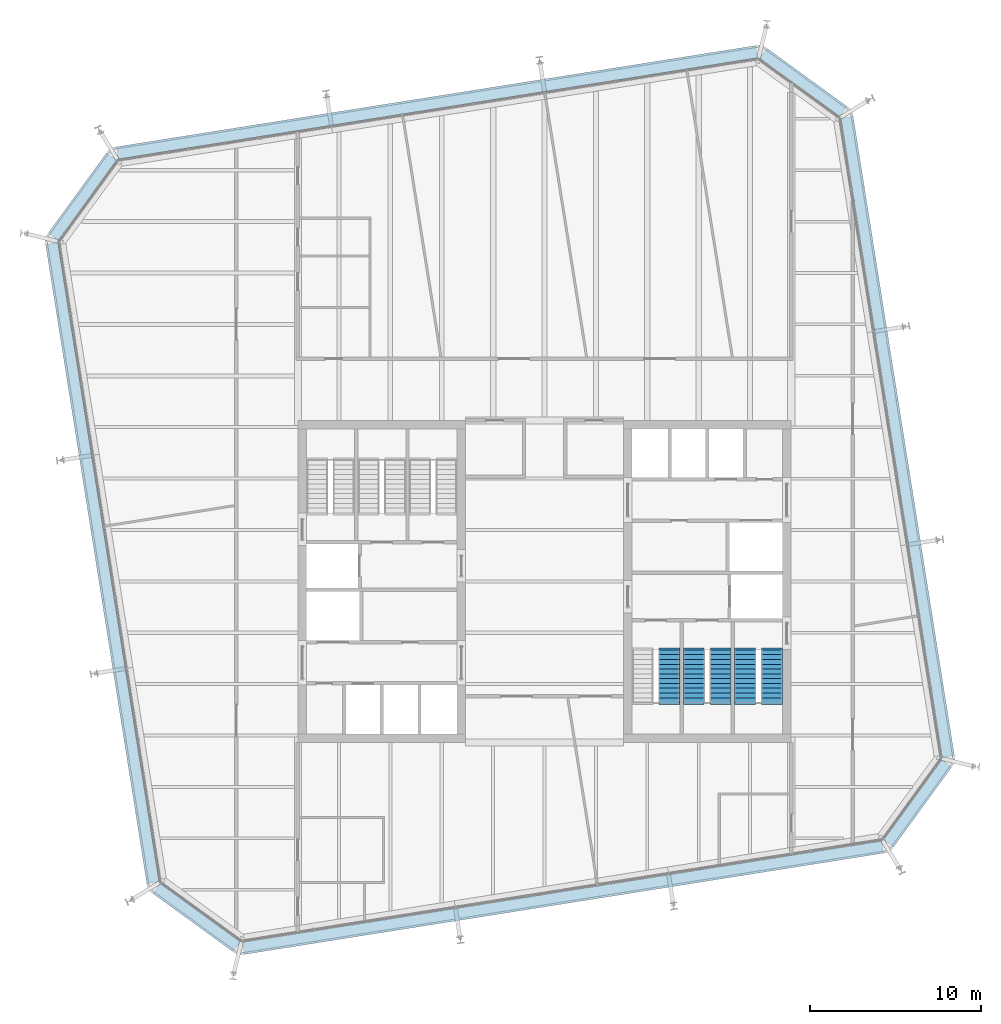
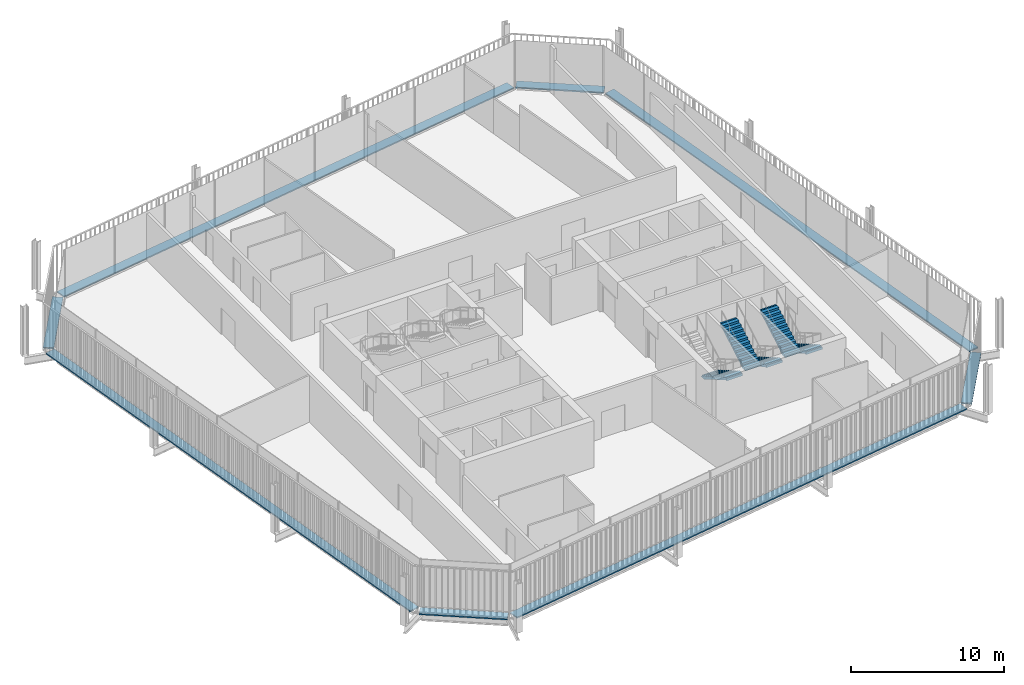
# One storey, part 19 of 20: 8 discrete accessories, 5 stair flights, 3 elements without a shape of their own.
"""IFC4 building model written with IfcOpenShell, lengths in metres."""

from ifc_helpers import new_model, si_unit, direction, frame, origin, origin_2d, place, context, subcontext, project, spatial, polyline, rectangle, outline, extrude, material, type_object, element, aggregate, save


model = new_model("IFC4")

# Units and contexts
model_context = context("Model", 3, precision=1e-05, world=origin(), true_north=direction((0.0, 1.0)))
body_context = subcontext(model_context, "Body", "Model", "MODEL_VIEW")
ifc_project = project(units=[si_unit("LENGTHUNIT", "METRE"), si_unit("AREAUNIT", "SQUARE_METRE"), si_unit("VOLUMEUNIT", "CUBIC_METRE"), si_unit("PLANEANGLEUNIT", "RADIAN"), si_unit("MASSUNIT", "GRAM", prefix="KILO")], contexts=[model_context])

# Site, building, storey
site_placement = place(None, origin())
site = spatial("IfcSite", under=ifc_project, at=site_placement, CompositionType="ELEMENT")
building_placement = place(site_placement, origin())
building = spatial("IfcBuilding", under=site, at=building_placement, Name="Millrace Tower", CompositionType="ELEMENT")
storey_placement = place(building_placement, frame((0.0, 0.0, 224.199951171875)))
storey = spatial("IfcBuildingStorey", under=building, at=storey_placement, Name="L51", CompositionType="ELEMENT", Elevation=224.199951171875)

# Stair, stair flights
ifc_material_1 = material(Name="Concrete C35", Category="concrete")
stair_type = type_object("IfcStairType", Name="Exit stair", PredefinedType="HALF_TURN_STAIR", material=ifc_material_1)
placement = place(storey_placement, origin())
stair_1 = element("IfcStair", 1, at=placement, inside=storey, type_object=stair_type, Name="Stair 1 E L51", PredefinedType="HALF_TURN_STAIR")
ifc_material_2 = material(Name="Concrete C35", Category="concrete")
stair_flight_type = type_object("IfcStairFlightType", Name="Exit stair flight", PredefinedType="STRAIGHT", material=ifc_material_2)
stair_flight_1_placement = place(storey_placement, frame((13.2900390625, -4.0, 0.0), z_axis=(0.0, 0.0, 1.0), x_axis=(0.0, -1.0, 0.0)))
stair_flight_1 = element("IfcStairFlight", 2, at=stair_flight_1_placement, type_object=stair_flight_type, Name="ST12 flight 1", NumberOfRisers=12, NumberOfTreads=11, PredefinedType="STRAIGHT", RiserHeight=0.1625, TreadLength=0.28, context=body_context, shape_type="SweptSolid", body=[
    extrude(outline(polyline([(-0.1201171875, -0.0400390625), (-0.1201171875, 0.0), (0.0, 0.0), (0.0, 0.16259765625), (0.280029296875, 0.16259765625), (0.280029296875, 0.324951171875), (0.56005859375, 0.324951171875), (0.56005859375, 0.487548828125), (0.840087890625, 0.487548828125), (0.840087890625, 0.64990234375), (1.1201171875, 0.64990234375), (1.1201171875, 0.8125), (1.39990234375, 0.8125), (1.39990234375, 0.97509765625), (1.679931640625, 0.97509765625), (1.679931640625, 1.137451171875), (1.9599609375, 1.137451171875), (1.9599609375, 1.300048828125), (2.239990234375, 1.300048828125), (2.239990234375, 1.46240234375), (2.52001953125, 1.46240234375), (2.52001953125, 1.625), (2.800048828125, 1.625), (2.800048828125, 1.78759765625), (3.080078125, 1.78759765625), (3.080078125, 1.8076171875), (3.199951171875, 1.8076171875), (3.199951171875, 1.6142578125), (3.080078125, 1.6142578125), (0.298583984375, 0.0), (0.298583984375, -0.0400390625), (-0.1201171875, -0.0400390625)])), frame((0.0, 0.60986328125, 0.0), z_axis=(0.0, -1.0, 0.0), x_axis=(1.0, 0.0, 0.0)), (0.0, 0.0, 1.0), 1.219970703125),
])
stair_flight_2_placement = place(storey_placement, frame((11.7099609375, -7.080078125, 1.949951171875), z_axis=(0.0, 0.0, 1.0), x_axis=(0.0, 1.0, 0.0)))
stair_flight_2 = element("IfcStairFlight", 3, at=stair_flight_2_placement, type_object=stair_flight_type, Name="ST12 flight 2", NumberOfRisers=12, NumberOfTreads=11, PredefinedType="STRAIGHT", RiserHeight=0.1625, TreadLength=0.28, context=body_context, shape_type="SweptSolid", body=[
    extrude(outline(polyline([(-0.1201171875, -0.0400390625), (-0.1201171875, 0.0), (0.0, 0.0), (0.0, 0.16259765625), (0.280029296875, 0.16259765625), (0.280029296875, 0.324951171875), (0.56005859375, 0.324951171875), (0.56005859375, 0.487548828125), (0.840087890625, 0.487548828125), (0.840087890625, 0.64990234375), (1.1201171875, 0.64990234375), (1.1201171875, 0.8125), (1.39990234375, 0.8125), (1.39990234375, 0.97509765625), (1.679931640625, 0.97509765625), (1.679931640625, 1.137451171875), (1.9599609375, 1.137451171875), (1.9599609375, 1.300048828125), (2.239990234375, 1.300048828125), (2.239990234375, 1.46240234375), (2.52001953125, 1.46240234375), (2.52001953125, 1.625), (2.800048828125, 1.625), (2.800048828125, 1.78759765625), (3.080078125, 1.78759765625), (3.080078125, 1.8076171875), (3.199951171875, 1.8076171875), (3.199951171875, 1.6142578125), (3.080078125, 1.6142578125), (0.298583984375, 0.0), (0.298583984375, -0.0400390625), (-0.1201171875, -0.0400390625)])), frame((0.0, 0.60986328125, 0.0), z_axis=(0.0, -1.0, 0.0), x_axis=(1.0, 0.0, 0.0)), (0.0, 0.0, 1.0), 1.219970703125),
])
aggregate(stair_1, [stair_flight_1, stair_flight_2])

stair_2 = element("IfcStair", 4, at=placement, inside=storey, type_object=stair_type, Name="Stair 2 E L51", PredefinedType="HALF_TURN_STAIR")
stair_flight_3_placement = place(storey_placement, frame((10.2900390625, -4.0, 0.0), z_axis=(0.0, 0.0, 1.0), x_axis=(0.0, -1.0, 0.0)))
stair_flight_3 = element("IfcStairFlight", 5, at=stair_flight_3_placement, type_object=stair_flight_type, Name="ST12 flight 1", NumberOfRisers=12, NumberOfTreads=11, PredefinedType="STRAIGHT", RiserHeight=0.1625, TreadLength=0.28, context=body_context, shape_type="SweptSolid", body=[
    extrude(outline(polyline([(-0.1201171875, -0.0400390625), (-0.1201171875, 0.0), (0.0, 0.0), (0.0, 0.16259765625), (0.280029296875, 0.16259765625), (0.280029296875, 0.324951171875), (0.56005859375, 0.324951171875), (0.56005859375, 0.487548828125), (0.840087890625, 0.487548828125), (0.840087890625, 0.64990234375), (1.1201171875, 0.64990234375), (1.1201171875, 0.8125), (1.39990234375, 0.8125), (1.39990234375, 0.97509765625), (1.679931640625, 0.97509765625), (1.679931640625, 1.137451171875), (1.9599609375, 1.137451171875), (1.9599609375, 1.300048828125), (2.239990234375, 1.300048828125), (2.239990234375, 1.46240234375), (2.52001953125, 1.46240234375), (2.52001953125, 1.625), (2.800048828125, 1.625), (2.800048828125, 1.78759765625), (3.080078125, 1.78759765625), (3.080078125, 1.8076171875), (3.199951171875, 1.8076171875), (3.199951171875, 1.6142578125), (3.080078125, 1.6142578125), (0.298583984375, 0.0), (0.298583984375, -0.0400390625), (-0.1201171875, -0.0400390625)])), frame((0.0, 0.60986328125, 0.0), z_axis=(0.0, -1.0, 0.0), x_axis=(1.0, 0.0, 0.0)), (0.0, 0.0, 1.0), 1.219970703125),
])
stair_flight_4_placement = place(storey_placement, frame((8.7099609375, -7.080078125, 1.949951171875), z_axis=(0.0, 0.0, 1.0), x_axis=(0.0, 1.0, 0.0)))
stair_flight_4 = element("IfcStairFlight", 6, at=stair_flight_4_placement, type_object=stair_flight_type, Name="ST12 flight 2", NumberOfRisers=12, NumberOfTreads=11, PredefinedType="STRAIGHT", RiserHeight=0.1625, TreadLength=0.28, context=body_context, shape_type="SweptSolid", body=[
    extrude(outline(polyline([(-0.1201171875, -0.0400390625), (-0.1201171875, 0.0), (0.0, 0.0), (0.0, 0.16259765625), (0.280029296875, 0.16259765625), (0.280029296875, 0.324951171875), (0.56005859375, 0.324951171875), (0.56005859375, 0.487548828125), (0.840087890625, 0.487548828125), (0.840087890625, 0.64990234375), (1.1201171875, 0.64990234375), (1.1201171875, 0.8125), (1.39990234375, 0.8125), (1.39990234375, 0.97509765625), (1.679931640625, 0.97509765625), (1.679931640625, 1.137451171875), (1.9599609375, 1.137451171875), (1.9599609375, 1.300048828125), (2.239990234375, 1.300048828125), (2.239990234375, 1.46240234375), (2.52001953125, 1.46240234375), (2.52001953125, 1.625), (2.800048828125, 1.625), (2.800048828125, 1.78759765625), (3.080078125, 1.78759765625), (3.080078125, 1.8076171875), (3.199951171875, 1.8076171875), (3.199951171875, 1.6142578125), (3.080078125, 1.6142578125), (0.298583984375, 0.0), (0.298583984375, -0.0400390625), (-0.1201171875, -0.0400390625)])), frame((0.0, 0.60986328125, 0.0), z_axis=(0.0, -1.0, 0.0), x_axis=(1.0, 0.0, 0.0)), (0.0, 0.0, 1.0), 1.219970703125),
])
aggregate(stair_2, [stair_flight_3, stair_flight_4])

# Stair, stair flight
stair_3 = element("IfcStair", 7, at=placement, inside=storey, type_object=stair_type, Name="Stair 3 E L51", PredefinedType="HALF_TURN_STAIR")
stair_flight_5_placement = place(storey_placement, frame((7.2900390625, -4.0, 0.0), z_axis=(0.0, 0.0, 1.0), x_axis=(0.0, -1.0, 0.0)))
stair_flight_5 = element("IfcStairFlight", 8, at=stair_flight_5_placement, type_object=stair_flight_type, Name="ST12 flight 1", NumberOfRisers=12, NumberOfTreads=11, PredefinedType="STRAIGHT", RiserHeight=0.1625, TreadLength=0.28, context=body_context, shape_type="SweptSolid", body=[
    extrude(outline(polyline([(-0.1201171875, -0.0400390625), (-0.1201171875, 0.0), (0.0, 0.0), (0.0, 0.16259765625), (0.280029296875, 0.16259765625), (0.280029296875, 0.324951171875), (0.56005859375, 0.324951171875), (0.56005859375, 0.487548828125), (0.840087890625, 0.487548828125), (0.840087890625, 0.64990234375), (1.1201171875, 0.64990234375), (1.1201171875, 0.8125), (1.39990234375, 0.8125), (1.39990234375, 0.97509765625), (1.679931640625, 0.97509765625), (1.679931640625, 1.137451171875), (1.9599609375, 1.137451171875), (1.9599609375, 1.300048828125), (2.239990234375, 1.300048828125), (2.239990234375, 1.46240234375), (2.52001953125, 1.46240234375), (2.52001953125, 1.625), (2.800048828125, 1.625), (2.800048828125, 1.78759765625), (3.080078125, 1.78759765625), (3.080078125, 1.8076171875), (3.199951171875, 1.8076171875), (3.199951171875, 1.6142578125), (3.080078125, 1.6142578125), (0.298583984375, 0.0), (0.298583984375, -0.0400390625), (-0.1201171875, -0.0400390625)])), frame((0.0, 0.60986328125, 0.0), z_axis=(0.0, -1.0, 0.0), x_axis=(1.0, 0.0, 0.0)), (0.0, 0.0, 1.0), 1.219970703125),
])
aggregate(stair_3, [stair_flight_5])

# Discrete accessories
ifc_material_3 = material(Name="Stainless steel ASTM A240 type 316", Category="steel")
discrete_accessory_type = type_object("IfcDiscreteAccessoryType", Name="Thermally broken screen support rail", PredefinedType="BRACKET", material=ifc_material_3)
discrete_accessory_1_placement = place(storey_placement, frame((-20.314453125, -19.632080078125, 0.0), z_axis=(0.0, 0.0, 1.0), x_axis=(0.809016955361, -0.587785305991, 0.0)))
element("IfcDiscreteAccessory", 9, at=discrete_accessory_1_placement, inside=storey, type_object=discrete_accessory_type, Name="Thermally broken screen support rail D-F01 L51 1", PredefinedType="BRACKET", context=body_context, shape_type="SweptSolid", body=[
    extrude(rectangle(XDim=5.79833984375, YDim=0.719970703125, at=origin_2d()), origin(), (0.0, 0.0, 1.0), 0.10009765625),
])
discrete_accessory_2_placement = place(storey_placement, frame((1.077880859375, -18.470458984375, 0.0), z_axis=(0.0, 0.0, 1.0), x_axis=(0.987688339511, 0.156434471884, 0.0)))
element("IfcDiscreteAccessory", 10, at=discrete_accessory_2_placement, inside=storey, type_object=discrete_accessory_type, Name="Thermally broken screen support rail D-F02 L51 1", PredefinedType="BRACKET", context=body_context, shape_type="SweptSolid", body=[
    extrude(rectangle(XDim=37.800048828125, YDim=0.719970703125, at=origin_2d()), origin(), (0.0, 0.0, 1.0), 0.10009765625),
])
discrete_accessory_3_placement = place(storey_placement, frame((21.781982421875, -12.964599609375, 0.0), z_axis=(0.0, 0.0, 1.0), x_axis=(0.587785305991, 0.809016955361, 0.0)))
element("IfcDiscreteAccessory", 11, at=discrete_accessory_3_placement, inside=storey, type_object=discrete_accessory_type, Name="Thermally broken screen support rail D-F03 L51 1", PredefinedType="BRACKET", context=body_context, shape_type="SweptSolid", body=[
    extrude(rectangle(XDim=5.79833984375, YDim=0.719970703125, at=origin_2d()), origin(), (0.0, 0.0, 1.0), 0.10009765625),
])
discrete_accessory_4_placement = place(storey_placement, frame((20.62060546875, 8.427734375, 0.0), z_axis=(0.0, 0.0, 1.0), x_axis=(-0.156434471884, 0.987688339511, 0.0)))
element("IfcDiscreteAccessory", 12, at=discrete_accessory_4_placement, inside=storey, type_object=discrete_accessory_type, Name="Thermally broken screen support rail D-F04 L51 1", PredefinedType="BRACKET", context=body_context, shape_type="SweptSolid", body=[
    extrude(rectangle(XDim=37.800048828125, YDim=0.719970703125, at=origin_2d()), origin(), (0.0, 0.0, 1.0), 0.10009765625),
])
discrete_accessory_5_placement = place(storey_placement, frame((15.114501953125, 29.132080078125, 0.0), z_axis=(0.0, 0.0, 1.0), x_axis=(-0.809016955361, 0.587785305991, 0.0)))
element("IfcDiscreteAccessory", 13, at=discrete_accessory_5_placement, inside=storey, type_object=discrete_accessory_type, Name="Thermally broken screen support rail D-F05 L51 1", PredefinedType="BRACKET", context=body_context, shape_type="SweptSolid", body=[
    extrude(rectangle(XDim=5.79833984375, YDim=0.719970703125, at=origin_2d()), origin(), (0.0, 0.0, 1.0), 0.10009765625),
])
discrete_accessory_6_placement = place(storey_placement, frame((-6.27783203125, 27.970458984375, 0.0), z_axis=(0.0, 0.0, 1.0), x_axis=(-0.987688339511, -0.156434471884, 0.0)))
element("IfcDiscreteAccessory", 14, at=discrete_accessory_6_placement, inside=storey, type_object=discrete_accessory_type, Name="Thermally broken screen support rail D-F06 L51 1", PredefinedType="BRACKET", context=body_context, shape_type="SweptSolid", body=[
    extrude(rectangle(XDim=37.800048828125, YDim=0.719970703125, at=origin_2d()), origin(), (0.0, 0.0, 1.0), 0.10009765625),
])
discrete_accessory_7_placement = place(storey_placement, frame((-26.98193359375, 22.464599609375, 0.0), z_axis=(0.0, 0.0, 1.0), x_axis=(-0.587785305991, -0.809016955361, 0.0)))
element("IfcDiscreteAccessory", 15, at=discrete_accessory_7_placement, inside=storey, type_object=discrete_accessory_type, Name="Thermally broken screen support rail D-F07 L51 1", PredefinedType="BRACKET", context=body_context, shape_type="SweptSolid", body=[
    extrude(rectangle(XDim=5.79833984375, YDim=0.719970703125, at=origin_2d()), origin(), (0.0, 0.0, 1.0), 0.10009765625),
])
discrete_accessory_8_placement = place(storey_placement, frame((-25.820556640625, 1.072265625, 0.0), z_axis=(0.0, 0.0, 1.0), x_axis=(0.156434471884, -0.987688339511, 0.0)))
element("IfcDiscreteAccessory", 16, at=discrete_accessory_8_placement, inside=storey, type_object=discrete_accessory_type, Name="Thermally broken screen support rail D-F08 L51 1", PredefinedType="BRACKET", context=body_context, shape_type="SweptSolid", body=[
    extrude(rectangle(XDim=37.800048828125, YDim=0.719970703125, at=origin_2d()), origin(), (0.0, 0.0, 1.0), 0.10009765625),
])

save(model, "model.ifc")
